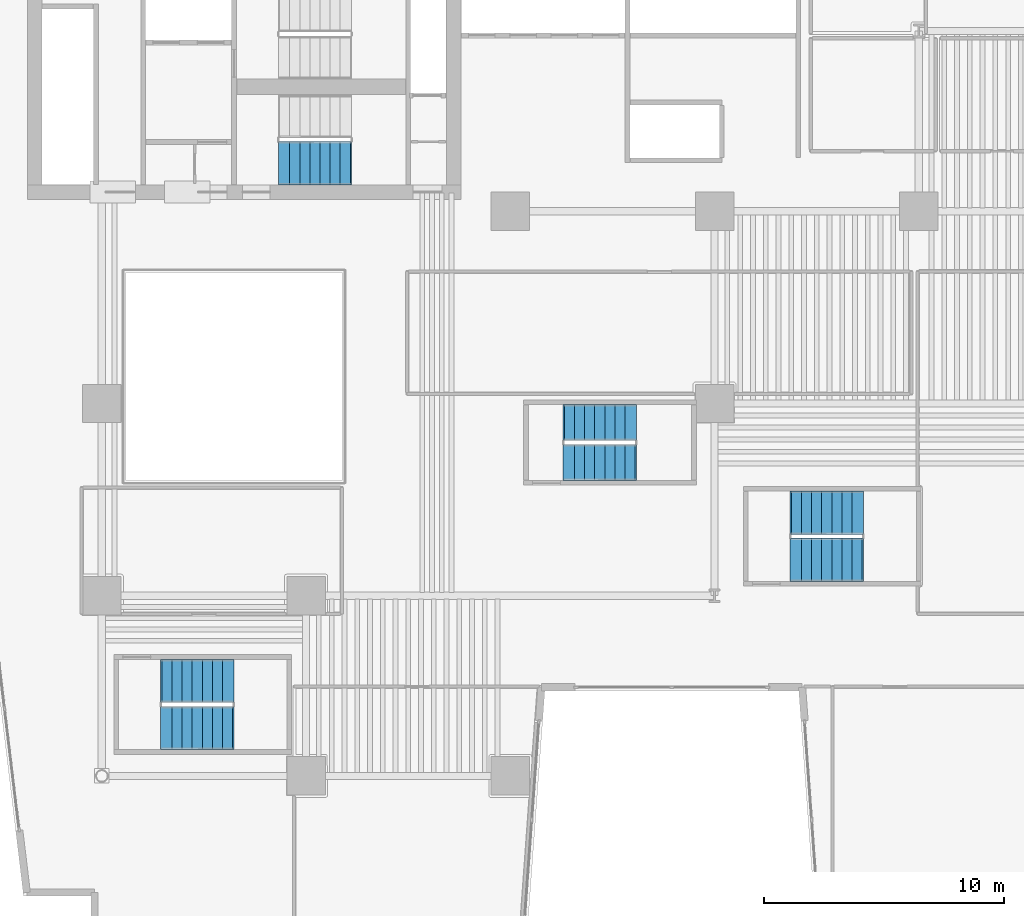
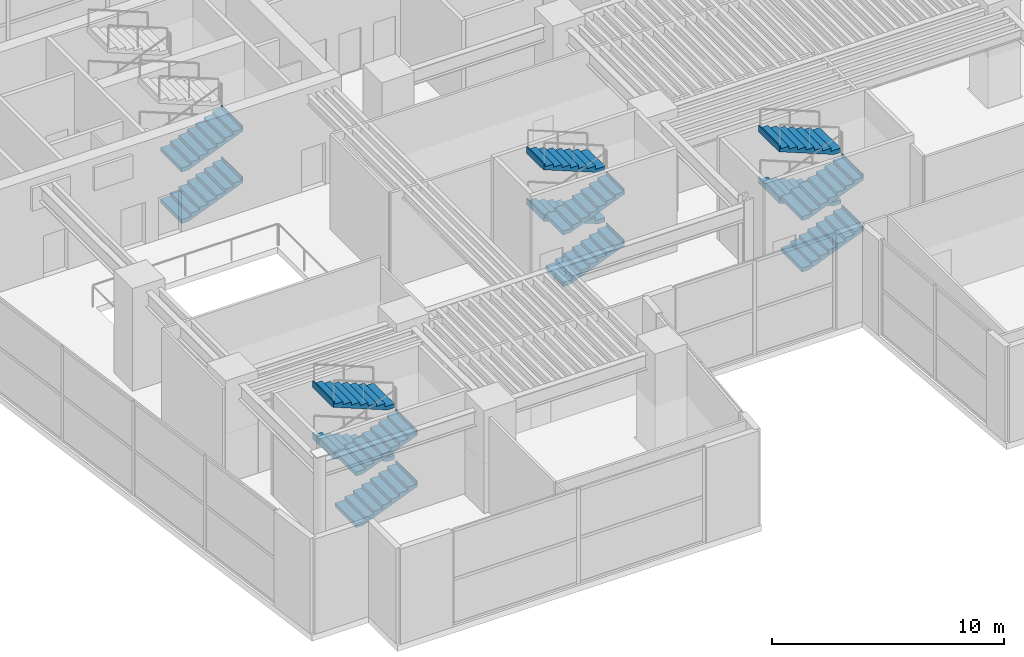
# One storey, part 11 of 16: 14 stair flights, 4 elements without a shape of their own.
"""IFC4 building model written with IfcOpenShell, lengths in metres."""

import ifcopenshell
import ifcopenshell.guid

model = None  # the IFC model being written
_history = None  # IfcOwnerHistory: only IFC2X3 demands one
_inside = {}  # id of a spatial element -> (the spatial element, [elements in it])
_under = {}  # id of a project, library or spatial element -> (it, [spatial elements below it])
_declared = {}  # id of a project -> (the project, [libraries it declares])
_typed = {}  # id of a type object -> (the type object, [elements of that type])
_made_of = {}  # id of a material, layer set ... -> (it, [elements and type objects made of it])


def new_model(schema):
    """Start an empty IFC model of exactly this schema.

    Asked for "IFC4X3", IfcOpenShell would pick the latest addendum, in which some entities
    have other attributes; the version numbers below select the first issue.
    IFC2X3 requires an IfcOwnerHistory on every rooted entity: one is made here for all.
    """
    global model, _history
    if schema == "IFC4X3":
        model = ifcopenshell.file(schema_version=(4, 3, 0, 0))
    else:
        model = ifcopenshell.file(schema=schema)
    _inside.clear()
    _under.clear()
    _declared.clear()
    _typed.clear()
    _made_of.clear()
    _history = None
    if model.schema == "IFC2X3":
        org = make("IfcOrganization", Name="unknown")
        user = make(
            "IfcPersonAndOrganization",
            ThePerson=make("IfcPerson", FamilyName="unknown"),
            TheOrganization=org,
        )
        app = make(
            "IfcApplication",
            ApplicationDeveloper=org,
            Version="unknown",
            ApplicationFullName="unknown",
            ApplicationIdentifier="unknown",
        )
        _history = make(
            "IfcOwnerHistory",
            OwningUser=user,
            OwningApplication=app,
            ChangeAction="ADDED",
            CreationDate=0,
        )
    return model


def make(cls, **values):
    """One entity of the class cls with the attributes given. An attribute that is None is left unset."""
    return model.create_entity(
        cls, **{name: value for name, value in values.items() if value is not None}
    )


def rooted(cls, **values):
    """An entity with a GlobalId (a new one), such as an element, a storey or a relation."""
    return make(cls, GlobalId=ifcopenshell.guid.new(), OwnerHistory=_history, **values)


def si_unit(unit_type, name, prefix=None):
    """IfcSIUnit, for example si_unit("LENGTHUNIT", "METRE", prefix="MILLI")."""
    return make("IfcSIUnit", UnitType=unit_type, Prefix=prefix, Name=name)


def assignment(units):
    """IfcUnitAssignment: the units of a project."""
    return None if units is None else make("IfcUnitAssignment", Units=units)


def point(xyz):
    """IfcCartesianPoint."""
    return None if xyz is None else make("IfcCartesianPoint", Coordinates=xyz)


def direction(xyz):
    """IfcDirection."""
    return None if xyz is None else make("IfcDirection", DirectionRatios=xyz)


def frame(location, z_axis=None, x_axis=None):
    """IfcAxis2Placement3D, a coordinate frame: its origin and axes. An axis left out is left unset."""
    return make(
        "IfcAxis2Placement3D",
        Location=point(location),
        Axis=direction(z_axis),
        RefDirection=direction(x_axis),
    )


def origin():
    """The frame at (0, 0, 0) with its axes left unset."""
    return frame((0.0, 0.0, 0.0))


def place(relative_to, where):
    """IfcLocalPlacement: puts the frame where relative to a parent placement (None: the world)."""
    return make(
        "IfcLocalPlacement", PlacementRelTo=relative_to, RelativePlacement=where
    )


def context(
    kind, dimensions, precision=None, world=None, true_north=None, identifier=None
):
    """IfcGeometricRepresentationContext, for example the 3D "Model" context."""
    return make(
        "IfcGeometricRepresentationContext",
        ContextIdentifier=identifier,
        ContextType=kind,
        CoordinateSpaceDimension=dimensions,
        Precision=precision,
        WorldCoordinateSystem=world,
        TrueNorth=true_north,
    )


def subcontext(parent, identifier, kind, view, scale=None):
    """IfcGeometricRepresentationSubContext, for example "Body" below "Model"."""
    return make(
        "IfcGeometricRepresentationSubContext",
        ContextIdentifier=identifier,
        ContextType=kind,
        ParentContext=parent,
        TargetScale=scale,
        TargetView=view,
    )


def project(units=None, contexts=None):
    """IfcProject with its units and contexts."""
    return rooted(
        "IfcProject",
        Name="project",
        RepresentationContexts=contexts,
        UnitsInContext=assignment(units),
    )


def spatial(cls, under=None, at=None, **own):
    """A site, building, storey or space (cls), placed at a placement, below another one or the project."""
    s = rooted(cls, ObjectPlacement=at, **own)
    if under is not None:
        _under.setdefault(under.id(), (under, []))[1].append(s)
    return s


def polyline(points):
    """IfcPolyline through the points."""
    return make("IfcPolyline", Points=[point(p) for p in points])


def outline(outer, holes=None, kind="AREA"):
    """IfcArbitraryClosedProfileDef: a profile drawn as a closed curve; with holes, ...WithVoids."""
    if holes is None:
        return make("IfcArbitraryClosedProfileDef", ProfileType=kind, OuterCurve=outer)
    return make(
        "IfcArbitraryProfileDefWithVoids",
        ProfileType=kind,
        OuterCurve=outer,
        InnerCurves=holes,
    )


def extrude(swept, where, along, depth):
    """IfcExtrudedAreaSolid: the profile swept, set in the frame where, extruded along a direction by depth."""
    return make(
        "IfcExtrudedAreaSolid",
        SweptArea=swept,
        Position=where,
        ExtrudedDirection=direction(along),
        Depth=depth,
    )


def shape(context_of_items, identifier, shape_type, items):
    """IfcShapeRepresentation: the items that make up one representation, for example the "Body"."""
    return make(
        "IfcShapeRepresentation",
        ContextOfItems=context_of_items,
        RepresentationIdentifier=identifier,
        RepresentationType=shape_type,
        Items=items,
    )


def material(Name=None, Category=None):
    """IfcMaterial."""
    return make("IfcMaterial", Name=Name, Category=Category)


def made_of(thing, what):
    """Note that an element or type object is made of a material, layer set ...; save() writes the relation."""
    if what is not None:
        _made_of.setdefault(what.id(), (what, []))[1].append(thing)
    return thing


def type_object(cls, material=None, **own):
    """A type object (cls), such as IfcWallType, which elements share."""
    return made_of(rooted(cls, **own), material)


def element(
    cls,
    number,
    at=None,
    inside=None,
    cuts=None,
    type_object=None,
    material=None,
    context=None,
    identifier="Body",
    shape_type=None,
    held_by="IfcProductDefinitionShape",
    body=None,
    shapes=None,
    **own,
):
    """One element of the class cls, such as IfcWall. Its Tag is "e" and its number.

    at: its placement. inside: the storey or other place that contains it. cuts: it is an
    opening in that element (IfcRelVoidsElement). A single representation is given by context,
    identifier, shape_type and body (its items); several are given by shapes. held_by: the class
    of the entity that holds the representations. save() writes the other relations.
    """
    e = rooted(cls, Tag="e%d" % number, ObjectPlacement=at, **own)
    if body is not None:
        shapes = [shape(context, identifier, shape_type, body)]
    if shapes is not None:
        e.Representation = make(held_by, Representations=shapes)
    if inside is not None:
        _inside.setdefault(inside.id(), (inside, []))[1].append(e)
    if cuts is not None:
        rooted(
            "IfcRelVoidsElement", RelatingBuildingElement=cuts, RelatedOpeningElement=e
        )
    if type_object is not None:
        _typed.setdefault(type_object.id(), (type_object, []))[1].append(e)
    return made_of(e, material)


def aggregate(whole, parts):
    """IfcRelAggregates: a whole, such as a stair, and the parts it consists of."""
    return rooted("IfcRelAggregates", RelatingObject=whole, RelatedObjects=parts)


def save(model, path):
    """Write the relations noted so far, then the file.

    IfcRelAggregates (storeys below a building ...), IfcRelContainedInSpatialStructure (elements
    in a storey), IfcRelDefinesByType, IfcRelAssociatesMaterial and IfcRelDeclares: one each for
    every whole, place, type object, material and project.
    """
    for whole, parts in _under.values():
        aggregate(whole, parts)
    for where, things in _inside.values():
        rooted(
            "IfcRelContainedInSpatialStructure",
            RelatedElements=things,
            RelatingStructure=where,
        )
    for kind, things in _typed.values():
        rooted("IfcRelDefinesByType", RelatedObjects=things, RelatingType=kind)
    for what, things in _made_of.values():
        rooted("IfcRelAssociatesMaterial", RelatedObjects=things, RelatingMaterial=what)
    for by, libraries in _declared.values():
        rooted("IfcRelDeclares", RelatingContext=by, RelatedDefinitions=libraries)
    model.write(path)


model = new_model("IFC4")

# Units and contexts
model_context = context("Model", 3, precision=1e-05, world=origin(), true_north=direction((0.0, 1.0)))
body_context = subcontext(model_context, "Body", "Model", "MODEL_VIEW")
ifc_project = project(units=[si_unit("LENGTHUNIT", "METRE"), si_unit("AREAUNIT", "SQUARE_METRE"), si_unit("VOLUMEUNIT", "CUBIC_METRE"), si_unit("PLANEANGLEUNIT", "RADIAN"), si_unit("MASSUNIT", "GRAM", prefix="KILO")], contexts=[model_context])

# Site, building, storey
site_placement = place(None, origin())
site = spatial("IfcSite", under=ifc_project, at=site_placement, CompositionType="ELEMENT")
building_placement = place(site_placement, origin())
building = spatial("IfcBuilding", under=site, at=building_placement, Name="Caeloran Harvest Quay", CompositionType="ELEMENT")
storey_placement = place(building_placement, frame((0.0, 0.0, 16.199951171875)))
storey = spatial("IfcBuildingStorey", under=building, at=storey_placement, Name="L04", CompositionType="ELEMENT", Elevation=16.199951171875)

# Stair, stair flights
ifc_material = material(Name="Concrete C50/60", Category="concrete")
stair_type_1 = type_object("IfcStairType", Name="STAIR-STC-180", PredefinedType="HALF_TURN_STAIR", material=ifc_material)
stair_1_placement = place(storey_placement, origin())
stair_1 = element("IfcStair", 1, at=stair_1_placement, inside=storey, type_object=stair_type_1, Name="L04 Core Pressurized Exit Stair ST-C2", PredefinedType="HALF_TURN_STAIR")
stair_flight_type_1 = type_object("IfcStairFlightType", Name="FLIGHT-STC-180", PredefinedType="STRAIGHT", material=ifc_material)
stair_flight_1_placement = place(storey_placement, frame((15.89990234375, 33.0, 0.0), z_axis=(0.0, 0.0, 1.0), x_axis=(1.0, 0.0, 0.0)))
stair_flight_1 = element("IfcStairFlight", 2, at=stair_flight_1_placement, type_object=stair_flight_type_1, Name="ST-C2 flight 1", NumberOfRisers=8, NumberOfTreads=7, PredefinedType="STRAIGHT", RiserHeight=0.16875, TreadLength=0.42, context=body_context, shape_type="SweptSolid", body=[
    extrude(outline(polyline([(-0.054931640625, -0.044921875), (-0.054931640625, -0.03173828125), (-0.054931640625, -0.018310546875), (-0.054931640625, -0.0048828125), (-0.054931640625, 0.008544921875), (-0.054931640625, 0.021728515625), (-0.054931640625, 0.03515625), (-0.054931640625, 0.048583984375), (-0.054931640625, 0.061767578125), (-0.054931640625, 0.0751953125), (-0.054931640625, 0.088623046875), (-0.054931640625, 0.10205078125), (-0.054931640625, 0.115234375), (-0.054931640625, 0.128662109375), (-0.054931640625, 0.14208984375), (-0.054931640625, 0.1552734375), (-0.054931640625, 0.168701171875), (0.419921875, 0.168701171875), (0.419921875, 0.33740234375), (0.840087890625, 0.33740234375), (0.840087890625, 0.50634765625), (1.260009765625, 0.50634765625), (1.260009765625, 0.675048828125), (1.679931640625, 0.675048828125), (1.679931640625, 0.84375), (2.10009765625, 0.84375), (2.10009765625, 1.012451171875), (2.52001953125, 1.012451171875), (2.52001953125, 1.18115234375), (2.93994140625, 1.18115234375), (2.93994140625, 1.35009765625), (2.9951171875, 1.35009765625), (2.9951171875, 1.329345703125), (2.9951171875, 1.30859375), (2.9951171875, 1.2880859375), (2.9951171875, 1.267333984375), (2.9951171875, 1.246826171875), (2.9951171875, 1.22607421875), (2.9951171875, 1.20556640625), (2.9951171875, 1.184814453125), (2.9951171875, 1.164306640625), (2.9951171875, 1.1435546875), (2.9951171875, 1.122802734375), (2.9951171875, 1.102294921875), (2.9951171875, 1.08154296875), (2.9951171875, 1.06103515625), (2.9951171875, 1.040283203125), (2.9951171875, 1.019775390625), (2.93994140625, 1.019775390625), (0.2900390625, -0.044921875), (-0.054931640625, -0.044921875)])), frame((0.0, 0.89990234375, 0.0), z_axis=(0.0, -1.0, 0.0), x_axis=(1.0, 0.0, 0.0)), (0.0, 0.0, 1.0), 1.800048828125),
])
stair_flight_2_placement = place(storey_placement, frame((15.89990234375, 33.0, 2.699951171875), z_axis=(0.0, 0.0, 1.0), x_axis=(1.0, 0.0, 0.0)))
stair_flight_2 = element("IfcStairFlight", 3, at=stair_flight_2_placement, type_object=stair_flight_type_1, Name="ST-C2 flight 3", NumberOfRisers=8, NumberOfTreads=7, PredefinedType="STRAIGHT", RiserHeight=0.16875, TreadLength=0.42, context=body_context, shape_type="SweptSolid", body=[
    extrude(outline(polyline([(-0.054931640625, -0.044921875), (-0.054931640625, -0.03173828125), (-0.054931640625, -0.018310546875), (-0.054931640625, -0.0048828125), (-0.054931640625, 0.008544921875), (-0.054931640625, 0.021728515625), (-0.054931640625, 0.03515625), (-0.054931640625, 0.048583984375), (-0.054931640625, 0.061767578125), (-0.054931640625, 0.0751953125), (-0.054931640625, 0.088623046875), (-0.054931640625, 0.10205078125), (-0.054931640625, 0.115234375), (-0.054931640625, 0.128662109375), (-0.054931640625, 0.14208984375), (-0.054931640625, 0.1552734375), (-0.054931640625, 0.168701171875), (0.419921875, 0.168701171875), (0.419921875, 0.33740234375), (0.840087890625, 0.33740234375), (0.840087890625, 0.50634765625), (1.260009765625, 0.50634765625), (1.260009765625, 0.675048828125), (1.679931640625, 0.675048828125), (1.679931640625, 0.84375), (2.10009765625, 0.84375), (2.10009765625, 1.012451171875), (2.52001953125, 1.012451171875), (2.52001953125, 1.18115234375), (2.93994140625, 1.18115234375), (2.93994140625, 1.35009765625), (2.9951171875, 1.35009765625), (2.9951171875, 1.329345703125), (2.9951171875, 1.30859375), (2.9951171875, 1.2880859375), (2.9951171875, 1.267333984375), (2.9951171875, 1.246826171875), (2.9951171875, 1.22607421875), (2.9951171875, 1.20556640625), (2.9951171875, 1.184814453125), (2.9951171875, 1.164306640625), (2.9951171875, 1.1435546875), (2.9951171875, 1.122802734375), (2.9951171875, 1.102294921875), (2.9951171875, 1.08154296875), (2.9951171875, 1.06103515625), (2.9951171875, 1.040283203125), (2.9951171875, 1.019775390625), (2.93994140625, 1.019775390625), (0.2900390625, -0.044921875), (-0.054931640625, -0.044921875)])), frame((0.0, 0.89990234375, 0.0), z_axis=(0.0, -1.0, 0.0), x_axis=(1.0, 0.0, 0.0)), (0.0, 0.0, 1.0), 1.800048828125),
])
aggregate(stair_1, [stair_flight_1, stair_flight_2])

stair_type_2 = type_object("IfcStairType", Name="STAIR-STP-180", PredefinedType="HALF_TURN_STAIR", material=ifc_material)
stair_2_placement = place(storey_placement, origin())
stair_2 = element("IfcStair", 4, at=stair_2_placement, inside=storey, type_object=stair_type_2, Name="L04 Podium West Public Exit Stair ST-P1", PredefinedType="HALF_TURN_STAIR")
stair_flight_type_2 = type_object("IfcStairFlightType", Name="FLIGHT-STP-180", PredefinedType="STRAIGHT", material=ifc_material)
stair_flight_3_placement = place(storey_placement, frame((11.0, 9.5, 0.0), z_axis=(0.0, 0.0, 1.0), x_axis=(1.0, 0.0, 0.0)))
stair_flight_3 = element("IfcStairFlight", 5, at=stair_flight_3_placement, type_object=stair_flight_type_2, Name="ST-P1 flight 1", NumberOfRisers=8, NumberOfTreads=7, PredefinedType="STRAIGHT", RiserHeight=0.16875, TreadLength=0.42, context=body_context, shape_type="SweptSolid", body=[
    extrude(outline(polyline([(-0.054931640625, -0.044921875), (-0.054931640625, -0.03173828125), (-0.054931640625, -0.018310546875), (-0.054931640625, -0.0048828125), (-0.054931640625, 0.008544921875), (-0.054931640625, 0.021728515625), (-0.054931640625, 0.03515625), (-0.054931640625, 0.048583984375), (-0.054931640625, 0.061767578125), (-0.054931640625, 0.0751953125), (-0.054931640625, 0.088623046875), (-0.054931640625, 0.10205078125), (-0.054931640625, 0.115234375), (-0.054931640625, 0.128662109375), (-0.054931640625, 0.14208984375), (-0.054931640625, 0.1552734375), (-0.054931640625, 0.168701171875), (0.419921875, 0.168701171875), (0.419921875, 0.33740234375), (0.840087890625, 0.33740234375), (0.840087890625, 0.50634765625), (1.260009765625, 0.50634765625), (1.260009765625, 0.675048828125), (1.679931640625, 0.675048828125), (1.679931640625, 0.84375), (2.10009765625, 0.84375), (2.10009765625, 1.012451171875), (2.52001953125, 1.012451171875), (2.52001953125, 1.18115234375), (2.93994140625, 1.18115234375), (2.93994140625, 1.35009765625), (2.9951171875, 1.35009765625), (2.9951171875, 1.329345703125), (2.9951171875, 1.30859375), (2.9951171875, 1.2880859375), (2.9951171875, 1.267333984375), (2.9951171875, 1.246826171875), (2.9951171875, 1.22607421875), (2.9951171875, 1.20556640625), (2.9951171875, 1.184814453125), (2.9951171875, 1.164306640625), (2.9951171875, 1.1435546875), (2.9951171875, 1.122802734375), (2.9951171875, 1.102294921875), (2.9951171875, 1.08154296875), (2.9951171875, 1.06103515625), (2.9951171875, 1.040283203125), (2.9951171875, 1.019775390625), (2.93994140625, 1.019775390625), (0.2900390625, -0.044921875), (-0.054931640625, -0.044921875)])), frame((0.0, 0.89990234375, 0.0), z_axis=(0.0, -1.0, 0.0), x_axis=(1.0, 0.0, 0.0)), (0.0, 0.0, 1.0), 1.800048828125),
])
stair_flight_4_placement = place(storey_placement, frame((13.93994140625, 11.449951171875, 1.35009765625), z_axis=(0.0, 0.0, 1.0), x_axis=(-1.0, 0.0, 0.0)))
stair_flight_4 = element("IfcStairFlight", 6, at=stair_flight_4_placement, type_object=stair_flight_type_2, Name="ST-P1 flight 2", NumberOfRisers=8, NumberOfTreads=7, PredefinedType="STRAIGHT", RiserHeight=0.16875, TreadLength=0.42, context=body_context, shape_type="SweptSolid", body=[
    extrude(outline(polyline([(-0.054931640625, -0.044921875), (-0.054931640625, -0.03173828125), (-0.054931640625, -0.018310546875), (-0.054931640625, -0.0048828125), (-0.054931640625, 0.008544921875), (-0.054931640625, 0.021728515625), (-0.054931640625, 0.03515625), (-0.054931640625, 0.048583984375), (-0.054931640625, 0.061767578125), (-0.054931640625, 0.0751953125), (-0.054931640625, 0.088623046875), (-0.054931640625, 0.10205078125), (-0.054931640625, 0.115234375), (-0.054931640625, 0.128662109375), (-0.054931640625, 0.14208984375), (-0.054931640625, 0.1552734375), (-0.054931640625, 0.168701171875), (0.419921875, 0.168701171875), (0.419921875, 0.33740234375), (0.840087890625, 0.33740234375), (0.840087890625, 0.50634765625), (1.260009765625, 0.50634765625), (1.260009765625, 0.675048828125), (1.679931640625, 0.675048828125), (1.679931640625, 0.84375), (2.10009765625, 0.84375), (2.10009765625, 1.012451171875), (2.52001953125, 1.012451171875), (2.52001953125, 1.18115234375), (2.93994140625, 1.18115234375), (2.93994140625, 1.35009765625), (2.9951171875, 1.35009765625), (2.9951171875, 1.329345703125), (2.9951171875, 1.30859375), (2.9951171875, 1.2880859375), (2.9951171875, 1.267333984375), (2.9951171875, 1.246826171875), (2.9951171875, 1.22607421875), (2.9951171875, 1.20556640625), (2.9951171875, 1.184814453125), (2.9951171875, 1.164306640625), (2.9951171875, 1.1435546875), (2.9951171875, 1.122802734375), (2.9951171875, 1.102294921875), (2.9951171875, 1.08154296875), (2.9951171875, 1.06103515625), (2.9951171875, 1.040283203125), (2.9951171875, 1.019775390625), (2.93994140625, 1.019775390625), (0.2900390625, -0.044921875), (-0.054931640625, -0.044921875)])), frame((0.0, 0.89990234375, 0.0), z_axis=(0.0, -1.0, 0.0), x_axis=(1.0, 0.0, 0.0)), (0.0, 0.0, 1.0), 1.800048828125),
])
stair_flight_5_placement = place(storey_placement, frame((11.0, 9.5, 2.699951171875), z_axis=(0.0, 0.0, 1.0), x_axis=(1.0, 0.0, 0.0)))
stair_flight_5 = element("IfcStairFlight", 7, at=stair_flight_5_placement, type_object=stair_flight_type_2, Name="ST-P1 flight 3", NumberOfRisers=8, NumberOfTreads=7, PredefinedType="STRAIGHT", RiserHeight=0.16875, TreadLength=0.42, context=body_context, shape_type="SweptSolid", body=[
    extrude(outline(polyline([(-0.054931640625, -0.044921875), (-0.054931640625, -0.03173828125), (-0.054931640625, -0.018310546875), (-0.054931640625, -0.0048828125), (-0.054931640625, 0.008544921875), (-0.054931640625, 0.021728515625), (-0.054931640625, 0.03515625), (-0.054931640625, 0.048583984375), (-0.054931640625, 0.061767578125), (-0.054931640625, 0.0751953125), (-0.054931640625, 0.088623046875), (-0.054931640625, 0.10205078125), (-0.054931640625, 0.115234375), (-0.054931640625, 0.128662109375), (-0.054931640625, 0.14208984375), (-0.054931640625, 0.1552734375), (-0.054931640625, 0.168701171875), (0.419921875, 0.168701171875), (0.419921875, 0.33740234375), (0.840087890625, 0.33740234375), (0.840087890625, 0.50634765625), (1.260009765625, 0.50634765625), (1.260009765625, 0.675048828125), (1.679931640625, 0.675048828125), (1.679931640625, 0.84375), (2.10009765625, 0.84375), (2.10009765625, 1.012451171875), (2.52001953125, 1.012451171875), (2.52001953125, 1.18115234375), (2.93994140625, 1.18115234375), (2.93994140625, 1.35009765625), (2.9951171875, 1.35009765625), (2.9951171875, 1.329345703125), (2.9951171875, 1.30859375), (2.9951171875, 1.2880859375), (2.9951171875, 1.267333984375), (2.9951171875, 1.246826171875), (2.9951171875, 1.22607421875), (2.9951171875, 1.20556640625), (2.9951171875, 1.184814453125), (2.9951171875, 1.164306640625), (2.9951171875, 1.1435546875), (2.9951171875, 1.122802734375), (2.9951171875, 1.102294921875), (2.9951171875, 1.08154296875), (2.9951171875, 1.06103515625), (2.9951171875, 1.040283203125), (2.9951171875, 1.019775390625), (2.93994140625, 1.019775390625), (0.2900390625, -0.044921875), (-0.054931640625, -0.044921875)])), frame((0.0, 0.89990234375, 0.0), z_axis=(0.0, -1.0, 0.0), x_axis=(1.0, 0.0, 0.0)), (0.0, 0.0, 1.0), 1.800048828125),
])
stair_flight_6_placement = place(storey_placement, frame((13.93994140625, 11.449951171875, 4.050048828125), z_axis=(0.0, 0.0, 1.0), x_axis=(-1.0, 0.0, 0.0)))
stair_flight_6 = element("IfcStairFlight", 8, at=stair_flight_6_placement, type_object=stair_flight_type_2, Name="ST-P1 flight 4", NumberOfRisers=8, NumberOfTreads=7, PredefinedType="STRAIGHT", RiserHeight=0.16875, TreadLength=0.42, context=body_context, shape_type="SweptSolid", body=[
    extrude(outline(polyline([(-0.054931640625, -0.044921875), (-0.054931640625, -0.03173828125), (-0.054931640625, -0.018310546875), (-0.054931640625, -0.0048828125), (-0.054931640625, 0.008544921875), (-0.054931640625, 0.021728515625), (-0.054931640625, 0.03515625), (-0.054931640625, 0.048583984375), (-0.054931640625, 0.061767578125), (-0.054931640625, 0.0751953125), (-0.054931640625, 0.088623046875), (-0.054931640625, 0.10205078125), (-0.054931640625, 0.115234375), (-0.054931640625, 0.128662109375), (-0.054931640625, 0.14208984375), (-0.054931640625, 0.1552734375), (-0.054931640625, 0.168701171875), (0.419921875, 0.168701171875), (0.419921875, 0.33740234375), (0.840087890625, 0.33740234375), (0.840087890625, 0.50634765625), (1.260009765625, 0.50634765625), (1.260009765625, 0.675048828125), (1.679931640625, 0.675048828125), (1.679931640625, 0.84375), (2.10009765625, 0.84375), (2.10009765625, 1.012451171875), (2.52001953125, 1.012451171875), (2.52001953125, 1.18115234375), (2.93994140625, 1.18115234375), (2.93994140625, 1.35009765625), (2.9951171875, 1.35009765625), (2.9951171875, 1.329345703125), (2.9951171875, 1.30859375), (2.9951171875, 1.2880859375), (2.9951171875, 1.267333984375), (2.9951171875, 1.246826171875), (2.9951171875, 1.22607421875), (2.9951171875, 1.20556640625), (2.9951171875, 1.184814453125), (2.9951171875, 1.164306640625), (2.9951171875, 1.1435546875), (2.9951171875, 1.122802734375), (2.9951171875, 1.102294921875), (2.9951171875, 1.08154296875), (2.9951171875, 1.06103515625), (2.9951171875, 1.040283203125), (2.9951171875, 1.019775390625), (2.93994140625, 1.019775390625), (0.2900390625, -0.044921875), (-0.054931640625, -0.044921875)])), frame((0.0, 0.89990234375, 0.0), z_axis=(0.0, -1.0, 0.0), x_axis=(1.0, 0.0, 0.0)), (0.0, 0.0, 1.0), 1.800048828125),
])
aggregate(stair_2, [stair_flight_3, stair_flight_4, stair_flight_5, stair_flight_6])

stair_3_placement = place(storey_placement, origin())
stair_3 = element("IfcStair", 9, at=stair_3_placement, inside=storey, type_object=stair_type_2, Name="L04 Podium East Public Exit Stair ST-P2", PredefinedType="HALF_TURN_STAIR")
stair_flight_7_placement = place(storey_placement, frame((37.199951171875, 16.5, 0.0), z_axis=(0.0, 0.0, 1.0), x_axis=(1.0, 0.0, 0.0)))
stair_flight_7 = element("IfcStairFlight", 10, at=stair_flight_7_placement, type_object=stair_flight_type_2, Name="ST-P2 flight 1", NumberOfRisers=8, NumberOfTreads=7, PredefinedType="STRAIGHT", RiserHeight=0.16875, TreadLength=0.42, context=body_context, shape_type="SweptSolid", body=[
    extrude(outline(polyline([(-0.054931640625, -0.044921875), (-0.054931640625, -0.03173828125), (-0.054931640625, -0.018310546875), (-0.054931640625, -0.0048828125), (-0.054931640625, 0.008544921875), (-0.054931640625, 0.021728515625), (-0.054931640625, 0.03515625), (-0.054931640625, 0.048583984375), (-0.054931640625, 0.061767578125), (-0.054931640625, 0.0751953125), (-0.054931640625, 0.088623046875), (-0.054931640625, 0.10205078125), (-0.054931640625, 0.115234375), (-0.054931640625, 0.128662109375), (-0.054931640625, 0.14208984375), (-0.054931640625, 0.1552734375), (-0.054931640625, 0.168701171875), (0.419921875, 0.168701171875), (0.419921875, 0.33740234375), (0.840087890625, 0.33740234375), (0.840087890625, 0.50634765625), (1.260009765625, 0.50634765625), (1.260009765625, 0.675048828125), (1.679931640625, 0.675048828125), (1.679931640625, 0.84375), (2.10009765625, 0.84375), (2.10009765625, 1.012451171875), (2.52001953125, 1.012451171875), (2.52001953125, 1.18115234375), (2.93994140625, 1.18115234375), (2.93994140625, 1.35009765625), (2.9951171875, 1.35009765625), (2.9951171875, 1.329345703125), (2.9951171875, 1.30859375), (2.9951171875, 1.2880859375), (2.9951171875, 1.267333984375), (2.9951171875, 1.246826171875), (2.9951171875, 1.22607421875), (2.9951171875, 1.20556640625), (2.9951171875, 1.184814453125), (2.9951171875, 1.164306640625), (2.9951171875, 1.1435546875), (2.9951171875, 1.122802734375), (2.9951171875, 1.102294921875), (2.9951171875, 1.08154296875), (2.9951171875, 1.06103515625), (2.9951171875, 1.040283203125), (2.9951171875, 1.019775390625), (2.93994140625, 1.019775390625), (0.2900390625, -0.044921875), (-0.054931640625, -0.044921875)])), frame((0.0, 0.89990234375, 0.0), z_axis=(0.0, -1.0, 0.0), x_axis=(1.0, 0.0, 0.0)), (0.0, 0.0, 1.0), 1.800048828125),
])
stair_flight_8_placement = place(storey_placement, frame((40.139892578125, 18.449951171875, 1.35009765625), z_axis=(0.0, 0.0, 1.0), x_axis=(-1.0, 0.0, 0.0)))
stair_flight_8 = element("IfcStairFlight", 11, at=stair_flight_8_placement, type_object=stair_flight_type_2, Name="ST-P2 flight 2", NumberOfRisers=8, NumberOfTreads=7, PredefinedType="STRAIGHT", RiserHeight=0.16875, TreadLength=0.42, context=body_context, shape_type="SweptSolid", body=[
    extrude(outline(polyline([(-0.054931640625, -0.044921875), (-0.054931640625, -0.03173828125), (-0.054931640625, -0.018310546875), (-0.054931640625, -0.0048828125), (-0.054931640625, 0.008544921875), (-0.054931640625, 0.021728515625), (-0.054931640625, 0.03515625), (-0.054931640625, 0.048583984375), (-0.054931640625, 0.061767578125), (-0.054931640625, 0.0751953125), (-0.054931640625, 0.088623046875), (-0.054931640625, 0.10205078125), (-0.054931640625, 0.115234375), (-0.054931640625, 0.128662109375), (-0.054931640625, 0.14208984375), (-0.054931640625, 0.1552734375), (-0.054931640625, 0.168701171875), (0.419921875, 0.168701171875), (0.419921875, 0.33740234375), (0.840087890625, 0.33740234375), (0.840087890625, 0.50634765625), (1.260009765625, 0.50634765625), (1.260009765625, 0.675048828125), (1.679931640625, 0.675048828125), (1.679931640625, 0.84375), (2.10009765625, 0.84375), (2.10009765625, 1.012451171875), (2.52001953125, 1.012451171875), (2.52001953125, 1.18115234375), (2.93994140625, 1.18115234375), (2.93994140625, 1.35009765625), (2.9951171875, 1.35009765625), (2.9951171875, 1.329345703125), (2.9951171875, 1.30859375), (2.9951171875, 1.2880859375), (2.9951171875, 1.267333984375), (2.9951171875, 1.246826171875), (2.9951171875, 1.22607421875), (2.9951171875, 1.20556640625), (2.9951171875, 1.184814453125), (2.9951171875, 1.164306640625), (2.9951171875, 1.1435546875), (2.9951171875, 1.122802734375), (2.9951171875, 1.102294921875), (2.9951171875, 1.08154296875), (2.9951171875, 1.06103515625), (2.9951171875, 1.040283203125), (2.9951171875, 1.019775390625), (2.93994140625, 1.019775390625), (0.2900390625, -0.044921875), (-0.054931640625, -0.044921875)])), frame((0.0, 0.89990234375, 0.0), z_axis=(0.0, -1.0, 0.0), x_axis=(1.0, 0.0, 0.0)), (0.0, 0.0, 1.0), 1.800048828125),
])
stair_flight_9_placement = place(storey_placement, frame((37.199951171875, 16.5, 2.699951171875), z_axis=(0.0, 0.0, 1.0), x_axis=(1.0, 0.0, 0.0)))
stair_flight_9 = element("IfcStairFlight", 12, at=stair_flight_9_placement, type_object=stair_flight_type_2, Name="ST-P2 flight 3", NumberOfRisers=8, NumberOfTreads=7, PredefinedType="STRAIGHT", RiserHeight=0.16875, TreadLength=0.42, context=body_context, shape_type="SweptSolid", body=[
    extrude(outline(polyline([(-0.054931640625, -0.044921875), (-0.054931640625, -0.03173828125), (-0.054931640625, -0.018310546875), (-0.054931640625, -0.0048828125), (-0.054931640625, 0.008544921875), (-0.054931640625, 0.021728515625), (-0.054931640625, 0.03515625), (-0.054931640625, 0.048583984375), (-0.054931640625, 0.061767578125), (-0.054931640625, 0.0751953125), (-0.054931640625, 0.088623046875), (-0.054931640625, 0.10205078125), (-0.054931640625, 0.115234375), (-0.054931640625, 0.128662109375), (-0.054931640625, 0.14208984375), (-0.054931640625, 0.1552734375), (-0.054931640625, 0.168701171875), (0.419921875, 0.168701171875), (0.419921875, 0.33740234375), (0.840087890625, 0.33740234375), (0.840087890625, 0.50634765625), (1.260009765625, 0.50634765625), (1.260009765625, 0.675048828125), (1.679931640625, 0.675048828125), (1.679931640625, 0.84375), (2.10009765625, 0.84375), (2.10009765625, 1.012451171875), (2.52001953125, 1.012451171875), (2.52001953125, 1.18115234375), (2.93994140625, 1.18115234375), (2.93994140625, 1.35009765625), (2.9951171875, 1.35009765625), (2.9951171875, 1.329345703125), (2.9951171875, 1.30859375), (2.9951171875, 1.2880859375), (2.9951171875, 1.267333984375), (2.9951171875, 1.246826171875), (2.9951171875, 1.22607421875), (2.9951171875, 1.20556640625), (2.9951171875, 1.184814453125), (2.9951171875, 1.164306640625), (2.9951171875, 1.1435546875), (2.9951171875, 1.122802734375), (2.9951171875, 1.102294921875), (2.9951171875, 1.08154296875), (2.9951171875, 1.06103515625), (2.9951171875, 1.040283203125), (2.9951171875, 1.019775390625), (2.93994140625, 1.019775390625), (0.2900390625, -0.044921875), (-0.054931640625, -0.044921875)])), frame((0.0, 0.89990234375, 0.0), z_axis=(0.0, -1.0, 0.0), x_axis=(1.0, 0.0, 0.0)), (0.0, 0.0, 1.0), 1.800048828125),
])
stair_flight_10_placement = place(storey_placement, frame((40.139892578125, 18.449951171875, 4.050048828125), z_axis=(0.0, 0.0, 1.0), x_axis=(-1.0, 0.0, 0.0)))
stair_flight_10 = element("IfcStairFlight", 13, at=stair_flight_10_placement, type_object=stair_flight_type_2, Name="ST-P2 flight 4", NumberOfRisers=8, NumberOfTreads=7, PredefinedType="STRAIGHT", RiserHeight=0.16875, TreadLength=0.42, context=body_context, shape_type="SweptSolid", body=[
    extrude(outline(polyline([(-0.054931640625, -0.044921875), (-0.054931640625, -0.03173828125), (-0.054931640625, -0.018310546875), (-0.054931640625, -0.0048828125), (-0.054931640625, 0.008544921875), (-0.054931640625, 0.021728515625), (-0.054931640625, 0.03515625), (-0.054931640625, 0.048583984375), (-0.054931640625, 0.061767578125), (-0.054931640625, 0.0751953125), (-0.054931640625, 0.088623046875), (-0.054931640625, 0.10205078125), (-0.054931640625, 0.115234375), (-0.054931640625, 0.128662109375), (-0.054931640625, 0.14208984375), (-0.054931640625, 0.1552734375), (-0.054931640625, 0.168701171875), (0.419921875, 0.168701171875), (0.419921875, 0.33740234375), (0.840087890625, 0.33740234375), (0.840087890625, 0.50634765625), (1.260009765625, 0.50634765625), (1.260009765625, 0.675048828125), (1.679931640625, 0.675048828125), (1.679931640625, 0.84375), (2.10009765625, 0.84375), (2.10009765625, 1.012451171875), (2.52001953125, 1.012451171875), (2.52001953125, 1.18115234375), (2.93994140625, 1.18115234375), (2.93994140625, 1.35009765625), (2.9951171875, 1.35009765625), (2.9951171875, 1.329345703125), (2.9951171875, 1.30859375), (2.9951171875, 1.2880859375), (2.9951171875, 1.267333984375), (2.9951171875, 1.246826171875), (2.9951171875, 1.22607421875), (2.9951171875, 1.20556640625), (2.9951171875, 1.184814453125), (2.9951171875, 1.164306640625), (2.9951171875, 1.1435546875), (2.9951171875, 1.122802734375), (2.9951171875, 1.102294921875), (2.9951171875, 1.08154296875), (2.9951171875, 1.06103515625), (2.9951171875, 1.040283203125), (2.9951171875, 1.019775390625), (2.93994140625, 1.019775390625), (0.2900390625, -0.044921875), (-0.054931640625, -0.044921875)])), frame((0.0, 0.89990234375, 0.0), z_axis=(0.0, -1.0, 0.0), x_axis=(1.0, 0.0, 0.0)), (0.0, 0.0, 1.0), 1.800048828125),
])
aggregate(stair_3, [stair_flight_7, stair_flight_8, stair_flight_9, stair_flight_10])

stair_type_3 = type_object("IfcStairType", Name="STAIR-STW-150", PredefinedType="HALF_TURN_STAIR", material=ifc_material)
stair_4_placement = place(storey_placement, origin())
stair_4 = element("IfcStair", 14, at=stair_4_placement, inside=storey, type_object=stair_type_3, Name="L04 East Wing Protected Exit Stair ST-W1", PredefinedType="HALF_TURN_STAIR")
stair_flight_type_3 = type_object("IfcStairFlightType", Name="FLIGHT-STW-150", PredefinedType="STRAIGHT", material=ifc_material)
stair_flight_11_placement = place(storey_placement, frame((27.75, 20.550048828125, 0.0), z_axis=(0.0, 0.0, 1.0), x_axis=(1.0, 0.0, 0.0)))
stair_flight_11 = element("IfcStairFlight", 15, at=stair_flight_11_placement, type_object=stair_flight_type_3, Name="ST-W1 flight 1", NumberOfRisers=8, NumberOfTreads=7, PredefinedType="STRAIGHT", RiserHeight=0.16875, TreadLength=0.42, context=body_context, shape_type="SweptSolid", body=[
    extrude(outline(polyline([(-0.054931640625, -0.044921875), (-0.054931640625, -0.03173828125), (-0.054931640625, -0.018310546875), (-0.054931640625, -0.0048828125), (-0.054931640625, 0.008544921875), (-0.054931640625, 0.021728515625), (-0.054931640625, 0.03515625), (-0.054931640625, 0.048583984375), (-0.054931640625, 0.061767578125), (-0.054931640625, 0.0751953125), (-0.054931640625, 0.088623046875), (-0.054931640625, 0.10205078125), (-0.054931640625, 0.115234375), (-0.054931640625, 0.128662109375), (-0.054931640625, 0.14208984375), (-0.054931640625, 0.1552734375), (-0.054931640625, 0.168701171875), (0.419921875, 0.168701171875), (0.419921875, 0.33740234375), (0.840087890625, 0.33740234375), (0.840087890625, 0.50634765625), (1.260009765625, 0.50634765625), (1.260009765625, 0.675048828125), (1.679931640625, 0.675048828125), (1.679931640625, 0.84375), (2.10009765625, 0.84375), (2.10009765625, 1.012451171875), (2.52001953125, 1.012451171875), (2.52001953125, 1.18115234375), (2.93994140625, 1.18115234375), (2.93994140625, 1.35009765625), (2.9951171875, 1.35009765625), (2.9951171875, 1.329345703125), (2.9951171875, 1.30859375), (2.9951171875, 1.2880859375), (2.9951171875, 1.267333984375), (2.9951171875, 1.246826171875), (2.9951171875, 1.22607421875), (2.9951171875, 1.20556640625), (2.9951171875, 1.184814453125), (2.9951171875, 1.164306640625), (2.9951171875, 1.1435546875), (2.9951171875, 1.122802734375), (2.9951171875, 1.102294921875), (2.9951171875, 1.08154296875), (2.9951171875, 1.06103515625), (2.9951171875, 1.040283203125), (2.9951171875, 1.019775390625), (2.93994140625, 1.019775390625), (0.2900390625, -0.044921875), (-0.054931640625, -0.044921875)])), frame((0.0, 0.75, 0.0), z_axis=(0.0, -1.0, 0.0), x_axis=(1.0, 0.0, 0.0)), (0.0, 0.0, 1.0), 1.5),
])
stair_flight_12_placement = place(storey_placement, frame((30.68994140625, 22.199951171875, 1.35009765625), z_axis=(0.0, 0.0, 1.0), x_axis=(-1.0, 0.0, 0.0)))
stair_flight_12 = element("IfcStairFlight", 16, at=stair_flight_12_placement, type_object=stair_flight_type_3, Name="ST-W1 flight 2", NumberOfRisers=8, NumberOfTreads=7, PredefinedType="STRAIGHT", RiserHeight=0.16875, TreadLength=0.42, context=body_context, shape_type="SweptSolid", body=[
    extrude(outline(polyline([(-0.054931640625, -0.044921875), (-0.054931640625, -0.03173828125), (-0.054931640625, -0.018310546875), (-0.054931640625, -0.0048828125), (-0.054931640625, 0.008544921875), (-0.054931640625, 0.021728515625), (-0.054931640625, 0.03515625), (-0.054931640625, 0.048583984375), (-0.054931640625, 0.061767578125), (-0.054931640625, 0.0751953125), (-0.054931640625, 0.088623046875), (-0.054931640625, 0.10205078125), (-0.054931640625, 0.115234375), (-0.054931640625, 0.128662109375), (-0.054931640625, 0.14208984375), (-0.054931640625, 0.1552734375), (-0.054931640625, 0.168701171875), (0.419921875, 0.168701171875), (0.419921875, 0.33740234375), (0.840087890625, 0.33740234375), (0.840087890625, 0.50634765625), (1.260009765625, 0.50634765625), (1.260009765625, 0.675048828125), (1.679931640625, 0.675048828125), (1.679931640625, 0.84375), (2.10009765625, 0.84375), (2.10009765625, 1.012451171875), (2.52001953125, 1.012451171875), (2.52001953125, 1.18115234375), (2.93994140625, 1.18115234375), (2.93994140625, 1.35009765625), (2.9951171875, 1.35009765625), (2.9951171875, 1.329345703125), (2.9951171875, 1.30859375), (2.9951171875, 1.2880859375), (2.9951171875, 1.267333984375), (2.9951171875, 1.246826171875), (2.9951171875, 1.22607421875), (2.9951171875, 1.20556640625), (2.9951171875, 1.184814453125), (2.9951171875, 1.164306640625), (2.9951171875, 1.1435546875), (2.9951171875, 1.122802734375), (2.9951171875, 1.102294921875), (2.9951171875, 1.08154296875), (2.9951171875, 1.06103515625), (2.9951171875, 1.040283203125), (2.9951171875, 1.019775390625), (2.93994140625, 1.019775390625), (0.2900390625, -0.044921875), (-0.054931640625, -0.044921875)])), frame((0.0, 0.75, 0.0), z_axis=(0.0, -1.0, 0.0), x_axis=(1.0, 0.0, 0.0)), (0.0, 0.0, 1.0), 1.5),
])
stair_flight_13_placement = place(storey_placement, frame((27.75, 20.550048828125, 2.699951171875), z_axis=(0.0, 0.0, 1.0), x_axis=(1.0, 0.0, 0.0)))
stair_flight_13 = element("IfcStairFlight", 17, at=stair_flight_13_placement, type_object=stair_flight_type_3, Name="ST-W1 flight 3", NumberOfRisers=8, NumberOfTreads=7, PredefinedType="STRAIGHT", RiserHeight=0.16875, TreadLength=0.42, context=body_context, shape_type="SweptSolid", body=[
    extrude(outline(polyline([(-0.054931640625, -0.044921875), (-0.054931640625, -0.03173828125), (-0.054931640625, -0.018310546875), (-0.054931640625, -0.0048828125), (-0.054931640625, 0.008544921875), (-0.054931640625, 0.021728515625), (-0.054931640625, 0.03515625), (-0.054931640625, 0.048583984375), (-0.054931640625, 0.061767578125), (-0.054931640625, 0.0751953125), (-0.054931640625, 0.088623046875), (-0.054931640625, 0.10205078125), (-0.054931640625, 0.115234375), (-0.054931640625, 0.128662109375), (-0.054931640625, 0.14208984375), (-0.054931640625, 0.1552734375), (-0.054931640625, 0.168701171875), (0.419921875, 0.168701171875), (0.419921875, 0.33740234375), (0.840087890625, 0.33740234375), (0.840087890625, 0.50634765625), (1.260009765625, 0.50634765625), (1.260009765625, 0.675048828125), (1.679931640625, 0.675048828125), (1.679931640625, 0.84375), (2.10009765625, 0.84375), (2.10009765625, 1.012451171875), (2.52001953125, 1.012451171875), (2.52001953125, 1.18115234375), (2.93994140625, 1.18115234375), (2.93994140625, 1.35009765625), (2.9951171875, 1.35009765625), (2.9951171875, 1.329345703125), (2.9951171875, 1.30859375), (2.9951171875, 1.2880859375), (2.9951171875, 1.267333984375), (2.9951171875, 1.246826171875), (2.9951171875, 1.22607421875), (2.9951171875, 1.20556640625), (2.9951171875, 1.184814453125), (2.9951171875, 1.164306640625), (2.9951171875, 1.1435546875), (2.9951171875, 1.122802734375), (2.9951171875, 1.102294921875), (2.9951171875, 1.08154296875), (2.9951171875, 1.06103515625), (2.9951171875, 1.040283203125), (2.9951171875, 1.019775390625), (2.93994140625, 1.019775390625), (0.2900390625, -0.044921875), (-0.054931640625, -0.044921875)])), frame((0.0, 0.75, 0.0), z_axis=(0.0, -1.0, 0.0), x_axis=(1.0, 0.0, 0.0)), (0.0, 0.0, 1.0), 1.5),
])
stair_flight_14_placement = place(storey_placement, frame((30.68994140625, 22.199951171875, 4.050048828125), z_axis=(0.0, 0.0, 1.0), x_axis=(-1.0, 0.0, 0.0)))
stair_flight_14 = element("IfcStairFlight", 18, at=stair_flight_14_placement, type_object=stair_flight_type_3, Name="ST-W1 flight 4", NumberOfRisers=8, NumberOfTreads=7, PredefinedType="STRAIGHT", RiserHeight=0.16875, TreadLength=0.42, context=body_context, shape_type="SweptSolid", body=[
    extrude(outline(polyline([(-0.054931640625, -0.044921875), (-0.054931640625, -0.03173828125), (-0.054931640625, -0.018310546875), (-0.054931640625, -0.0048828125), (-0.054931640625, 0.008544921875), (-0.054931640625, 0.021728515625), (-0.054931640625, 0.03515625), (-0.054931640625, 0.048583984375), (-0.054931640625, 0.061767578125), (-0.054931640625, 0.0751953125), (-0.054931640625, 0.088623046875), (-0.054931640625, 0.10205078125), (-0.054931640625, 0.115234375), (-0.054931640625, 0.128662109375), (-0.054931640625, 0.14208984375), (-0.054931640625, 0.1552734375), (-0.054931640625, 0.168701171875), (0.419921875, 0.168701171875), (0.419921875, 0.33740234375), (0.840087890625, 0.33740234375), (0.840087890625, 0.50634765625), (1.260009765625, 0.50634765625), (1.260009765625, 0.675048828125), (1.679931640625, 0.675048828125), (1.679931640625, 0.84375), (2.10009765625, 0.84375), (2.10009765625, 1.012451171875), (2.52001953125, 1.012451171875), (2.52001953125, 1.18115234375), (2.93994140625, 1.18115234375), (2.93994140625, 1.35009765625), (2.9951171875, 1.35009765625), (2.9951171875, 1.329345703125), (2.9951171875, 1.30859375), (2.9951171875, 1.2880859375), (2.9951171875, 1.267333984375), (2.9951171875, 1.246826171875), (2.9951171875, 1.22607421875), (2.9951171875, 1.20556640625), (2.9951171875, 1.184814453125), (2.9951171875, 1.164306640625), (2.9951171875, 1.1435546875), (2.9951171875, 1.122802734375), (2.9951171875, 1.102294921875), (2.9951171875, 1.08154296875), (2.9951171875, 1.06103515625), (2.9951171875, 1.040283203125), (2.9951171875, 1.019775390625), (2.93994140625, 1.019775390625), (0.2900390625, -0.044921875), (-0.054931640625, -0.044921875)])), frame((0.0, 0.75, 0.0), z_axis=(0.0, -1.0, 0.0), x_axis=(1.0, 0.0, 0.0)), (0.0, 0.0, 1.0), 1.5),
])
aggregate(stair_4, [stair_flight_11, stair_flight_12, stair_flight_13, stair_flight_14])

save(model, "model.ifc")
